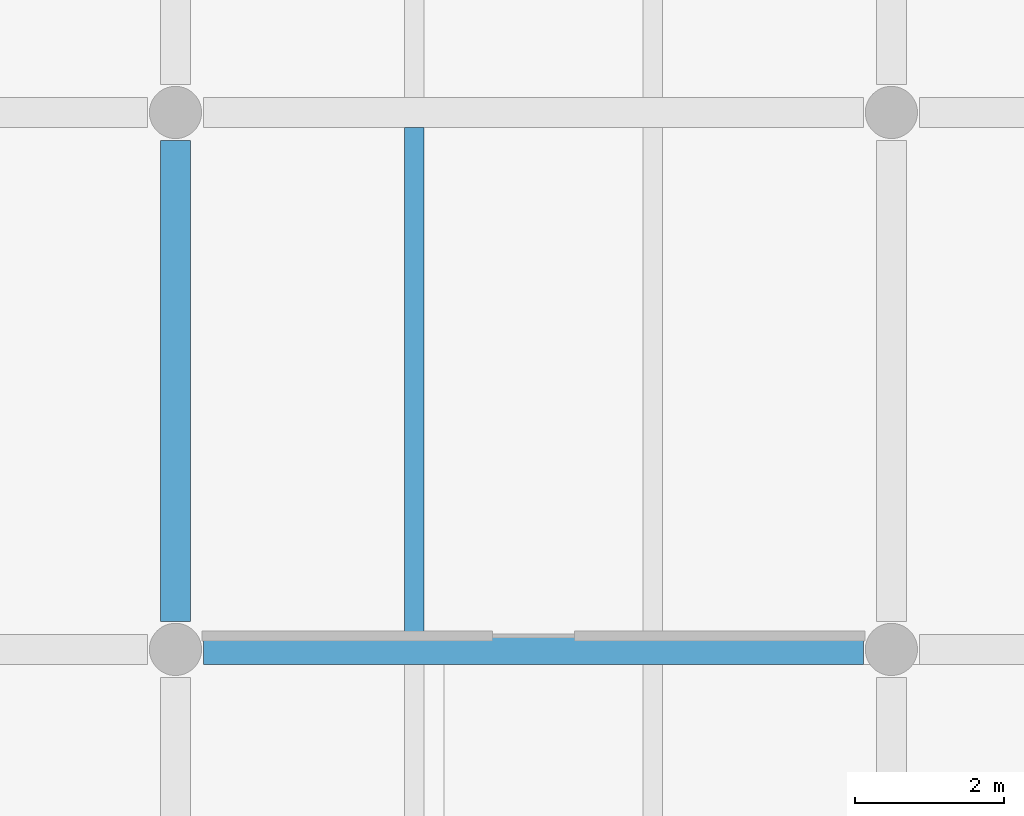
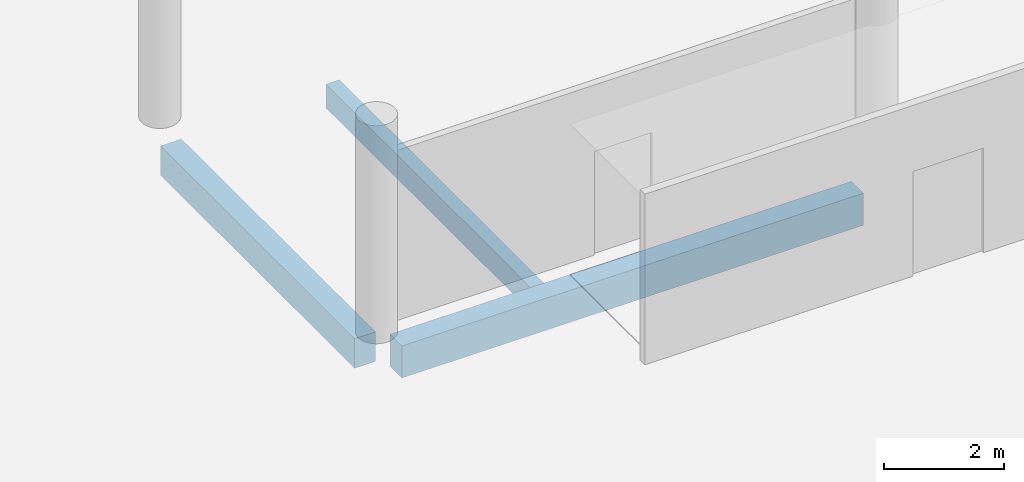
# One storey, part 53 of 196: 3 beams.
"""IFC4 building model written with IfcOpenShell, lengths in metres."""

import ifcopenshell
import ifcopenshell.guid

model = None  # the IFC model being written
_history = None  # IfcOwnerHistory: only IFC2X3 demands one
_inside = {}  # id of a spatial element -> (the spatial element, [elements in it])
_under = {}  # id of a project, library or spatial element -> (it, [spatial elements below it])
_declared = {}  # id of a project -> (the project, [libraries it declares])
_typed = {}  # id of a type object -> (the type object, [elements of that type])
_made_of = {}  # id of a material, layer set ... -> (it, [elements and type objects made of it])


def new_model(schema):
    """Start an empty IFC model of exactly this schema.

    Asked for "IFC4X3", IfcOpenShell would pick the latest addendum, in which some entities
    have other attributes; the version numbers below select the first issue.
    IFC2X3 requires an IfcOwnerHistory on every rooted entity: one is made here for all.
    """
    global model, _history
    if schema == "IFC4X3":
        model = ifcopenshell.file(schema_version=(4, 3, 0, 0))
    else:
        model = ifcopenshell.file(schema=schema)
    _inside.clear()
    _under.clear()
    _declared.clear()
    _typed.clear()
    _made_of.clear()
    _history = None
    if model.schema == "IFC2X3":
        org = make("IfcOrganization", Name="unknown")
        user = make(
            "IfcPersonAndOrganization",
            ThePerson=make("IfcPerson", FamilyName="unknown"),
            TheOrganization=org,
        )
        app = make(
            "IfcApplication",
            ApplicationDeveloper=org,
            Version="unknown",
            ApplicationFullName="unknown",
            ApplicationIdentifier="unknown",
        )
        _history = make(
            "IfcOwnerHistory",
            OwningUser=user,
            OwningApplication=app,
            ChangeAction="ADDED",
            CreationDate=0,
        )
    return model


def make(cls, **values):
    """One entity of the class cls with the attributes given. An attribute that is None is left unset."""
    return model.create_entity(
        cls, **{name: value for name, value in values.items() if value is not None}
    )


def rooted(cls, **values):
    """An entity with a GlobalId (a new one), such as an element, a storey or a relation."""
    return make(cls, GlobalId=ifcopenshell.guid.new(), OwnerHistory=_history, **values)


def si_unit(unit_type, name, prefix=None):
    """IfcSIUnit, for example si_unit("LENGTHUNIT", "METRE", prefix="MILLI")."""
    return make("IfcSIUnit", UnitType=unit_type, Prefix=prefix, Name=name)


def assignment(units):
    """IfcUnitAssignment: the units of a project."""
    return None if units is None else make("IfcUnitAssignment", Units=units)


def point(xyz):
    """IfcCartesianPoint."""
    return None if xyz is None else make("IfcCartesianPoint", Coordinates=xyz)


def direction(xyz):
    """IfcDirection."""
    return None if xyz is None else make("IfcDirection", DirectionRatios=xyz)


def frame(location, z_axis=None, x_axis=None):
    """IfcAxis2Placement3D, a coordinate frame: its origin and axes. An axis left out is left unset."""
    return make(
        "IfcAxis2Placement3D",
        Location=point(location),
        Axis=direction(z_axis),
        RefDirection=direction(x_axis),
    )


def frame_2d(location, x_axis=None):
    """IfcAxis2Placement2D, a coordinate frame in the plane: its origin and x axis."""
    return make(
        "IfcAxis2Placement2D", Location=point(location), RefDirection=direction(x_axis)
    )


def origin():
    """The frame at (0, 0, 0) with its axes left unset."""
    return frame((0.0, 0.0, 0.0))


def origin_2d():
    """The frame at (0, 0) in the plane with its x axis left unset."""
    return frame_2d((0.0, 0.0))


def place(relative_to, where):
    """IfcLocalPlacement: puts the frame where relative to a parent placement (None: the world)."""
    return make(
        "IfcLocalPlacement", PlacementRelTo=relative_to, RelativePlacement=where
    )


def context(
    kind, dimensions, precision=None, world=None, true_north=None, identifier=None
):
    """IfcGeometricRepresentationContext, for example the 3D "Model" context."""
    return make(
        "IfcGeometricRepresentationContext",
        ContextIdentifier=identifier,
        ContextType=kind,
        CoordinateSpaceDimension=dimensions,
        Precision=precision,
        WorldCoordinateSystem=world,
        TrueNorth=true_north,
    )


def subcontext(parent, identifier, kind, view, scale=None):
    """IfcGeometricRepresentationSubContext, for example "Body" below "Model"."""
    return make(
        "IfcGeometricRepresentationSubContext",
        ContextIdentifier=identifier,
        ContextType=kind,
        ParentContext=parent,
        TargetScale=scale,
        TargetView=view,
    )


def project(units=None, contexts=None):
    """IfcProject with its units and contexts."""
    return rooted(
        "IfcProject",
        Name="project",
        RepresentationContexts=contexts,
        UnitsInContext=assignment(units),
    )


def spatial(cls, under=None, at=None, **own):
    """A site, building, storey or space (cls), placed at a placement, below another one or the project."""
    s = rooted(cls, ObjectPlacement=at, **own)
    if under is not None:
        _under.setdefault(under.id(), (under, []))[1].append(s)
    return s


def profile(cls, at=None, kind="AREA", **sizes):
    """A parametric profile (cls). Its sizes go by their IFC names, for example OverallWidth=200.0."""
    return make(cls, ProfileType=kind, Position=at, **sizes)


def rectangle(**sizes):
    """IfcRectangleProfileDef."""
    return profile("IfcRectangleProfileDef", **sizes)


def extrude(swept, where, along, depth):
    """IfcExtrudedAreaSolid: the profile swept, set in the frame where, extruded along a direction by depth."""
    return make(
        "IfcExtrudedAreaSolid",
        SweptArea=swept,
        Position=where,
        ExtrudedDirection=direction(along),
        Depth=depth,
    )


def shape(context_of_items, identifier, shape_type, items):
    """IfcShapeRepresentation: the items that make up one representation, for example the "Body"."""
    return make(
        "IfcShapeRepresentation",
        ContextOfItems=context_of_items,
        RepresentationIdentifier=identifier,
        RepresentationType=shape_type,
        Items=items,
    )


def material(Name=None, Category=None):
    """IfcMaterial."""
    return make("IfcMaterial", Name=Name, Category=Category)


def material_profile(
    of_material, cross_section, Name=None, Category=None, Priority=None
):
    """IfcMaterialProfile: a cross section and its material."""
    return make(
        "IfcMaterialProfile",
        Name=Name,
        Material=of_material,
        Profile=cross_section,
        Priority=Priority,
        Category=Category,
    )


def profile_set(profiles, Name=None, composite=None):
    """IfcMaterialProfileSet."""
    return make(
        "IfcMaterialProfileSet",
        Name=Name,
        MaterialProfiles=profiles,
        CompositeProfile=composite,
    )


def made_of(thing, what):
    """Note that an element or type object is made of a material, layer set ...; save() writes the relation."""
    if what is not None:
        _made_of.setdefault(what.id(), (what, []))[1].append(thing)
    return thing


def type_object(cls, material=None, **own):
    """A type object (cls), such as IfcWallType, which elements share."""
    return made_of(rooted(cls, **own), material)


def element(
    cls,
    number,
    at=None,
    inside=None,
    cuts=None,
    type_object=None,
    material=None,
    context=None,
    identifier="Body",
    shape_type=None,
    held_by="IfcProductDefinitionShape",
    body=None,
    shapes=None,
    **own,
):
    """One element of the class cls, such as IfcWall. Its Tag is "e" and its number.

    at: its placement. inside: the storey or other place that contains it. cuts: it is an
    opening in that element (IfcRelVoidsElement). A single representation is given by context,
    identifier, shape_type and body (its items); several are given by shapes. held_by: the class
    of the entity that holds the representations. save() writes the other relations.
    """
    e = rooted(cls, Tag="e%d" % number, ObjectPlacement=at, **own)
    if body is not None:
        shapes = [shape(context, identifier, shape_type, body)]
    if shapes is not None:
        e.Representation = make(held_by, Representations=shapes)
    if inside is not None:
        _inside.setdefault(inside.id(), (inside, []))[1].append(e)
    if cuts is not None:
        rooted(
            "IfcRelVoidsElement", RelatingBuildingElement=cuts, RelatedOpeningElement=e
        )
    if type_object is not None:
        _typed.setdefault(type_object.id(), (type_object, []))[1].append(e)
    return made_of(e, material)


def aggregate(whole, parts):
    """IfcRelAggregates: a whole, such as a stair, and the parts it consists of."""
    return rooted("IfcRelAggregates", RelatingObject=whole, RelatedObjects=parts)


def save(model, path):
    """Write the relations noted so far, then the file.

    IfcRelAggregates (storeys below a building ...), IfcRelContainedInSpatialStructure (elements
    in a storey), IfcRelDefinesByType, IfcRelAssociatesMaterial and IfcRelDeclares: one each for
    every whole, place, type object, material and project.
    """
    for whole, parts in _under.values():
        aggregate(whole, parts)
    for where, things in _inside.values():
        rooted(
            "IfcRelContainedInSpatialStructure",
            RelatedElements=things,
            RelatingStructure=where,
        )
    for kind, things in _typed.values():
        rooted("IfcRelDefinesByType", RelatedObjects=things, RelatingType=kind)
    for what, things in _made_of.values():
        rooted("IfcRelAssociatesMaterial", RelatedObjects=things, RelatingMaterial=what)
    for by, libraries in _declared.values():
        rooted("IfcRelDeclares", RelatingContext=by, RelatedDefinitions=libraries)
    model.write(path)


model = new_model("IFC4")

# Units and contexts
model_context = context("Model", 3, precision=1e-05, world=origin(), true_north=direction((0.0, 1.0)))
body_context = subcontext(model_context, "Body", "Model", "MODEL_VIEW")
ifc_project = project(units=[si_unit("LENGTHUNIT", "METRE"), si_unit("AREAUNIT", "SQUARE_METRE"), si_unit("VOLUMEUNIT", "CUBIC_METRE"), si_unit("PLANEANGLEUNIT", "RADIAN"), si_unit("MASSUNIT", "GRAM", prefix="KILO")], contexts=[model_context])

# Site, building, storey
site_placement = place(None, origin())
site = spatial("IfcSite", under=ifc_project, at=site_placement, CompositionType="ELEMENT")
building_placement = place(site_placement, origin())
building = spatial("IfcBuilding", under=site, at=building_placement, Name="Asteropetra Specialist Clinic", CompositionType="ELEMENT")
storey_placement = place(building_placement, origin())
storey = spatial("IfcBuildingStorey", under=building, at=storey_placement, Name="L00", CompositionType="ELEMENT", Elevation=0.0)

# Beams
ifc_material_1 = material(Name="Concrete C35/45", Category="concrete")
ifc_material_profile_1 = material_profile(ifc_material_1, rectangle(XDim=0.39990234375, YDim=0.60009765625, at=origin_2d()), Name="RCB 400x600")
ifc_profile_set_1 = profile_set([ifc_material_profile_1], Name="Concrete C35/45")
beam_type_1 = type_object("IfcBeamType", Name="BM-RC400x600", PredefinedType="BEAM", material=ifc_profile_set_1)
beam_1_placement = place(storey_placement, frame((9.60009765625, 48.375, -0.60009765625), z_axis=(0.0, 1.0, 0.0), x_axis=(-1.0, 0.0, 0.0)))
element("IfcBeam", 1, at=beam_1_placement, inside=storey, type_object=beam_type_1, Name="Beam BBM08-0188", PredefinedType="BEAM", context=body_context, shape_type="SweptSolid", body=[
    extrude(rectangle(XDim=0.39990234375, YDim=0.60009765625, at=origin_2d()), origin(), (0.0, 0.0, 1.0), 6.449951171875),
])
ifc_material_2 = material(Name="Concrete C35/45", Category="concrete")
ifc_material_profile_2 = material_profile(ifc_material_2, rectangle(XDim=0.39990234375, YDim=0.64990234375, at=origin_2d()), Name="RCB 400x650")
ifc_profile_set_2 = profile_set([ifc_material_profile_2], Name="Concrete C35/45")
beam_type_2 = type_object("IfcBeamType", Name="BM-RC400x650", PredefinedType="BEAM", material=ifc_profile_set_2)
beam_2_placement = place(storey_placement, frame((9.97509765625, 48.0, -0.625), z_axis=(1.0, 0.0, 0.0), x_axis=(0.0, 1.0, 0.0)))
element("IfcBeam", 2, at=beam_2_placement, inside=storey, type_object=beam_type_2, Name="Beam BBM07-0144", PredefinedType="BEAM", context=body_context, shape_type="SweptSolid", body=[
    extrude(rectangle(XDim=0.39990234375, YDim=0.64990234375, at=origin_2d()), origin(), (0.0, 0.0, 1.0), 8.849853515625),
])
ifc_material_3 = material(Name="Concrete C35/45", Category="concrete")
ifc_material_profile_3 = material_profile(ifc_material_3, rectangle(XDim=0.260009765625, YDim=0.47998046875, at=origin_2d()), Name="RCJ 260x480")
ifc_profile_set_3 = profile_set([ifc_material_profile_3], Name="Concrete C35/45")
beam_type_3 = type_object("IfcBeamType", Name="JST-RC260x480", PredefinedType="JOIST", material=ifc_profile_set_3)
beam_3_placement = place(storey_placement, frame((12.800048828125, 48.199951171875, -0.5400390625), z_axis=(0.0, 1.0, 0.0), x_axis=(-1.0, 0.0, 0.0)))
element("IfcBeam", 3, at=beam_3_placement, inside=storey, type_object=beam_type_3, Name="Joist JJST02-0194", PredefinedType="JOIST", context=body_context, shape_type="SweptSolid", body=[
    extrude(rectangle(XDim=0.260009765625, YDim=0.47998046875, at=origin_2d()), origin(), (0.0, 0.0, 1.0), 6.800048828125),
])

save(model, "model.ifc")
